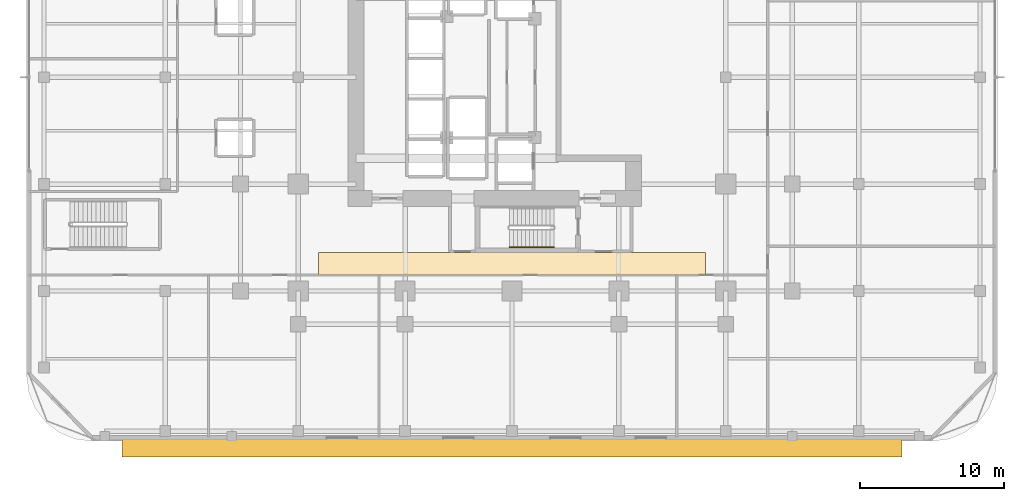
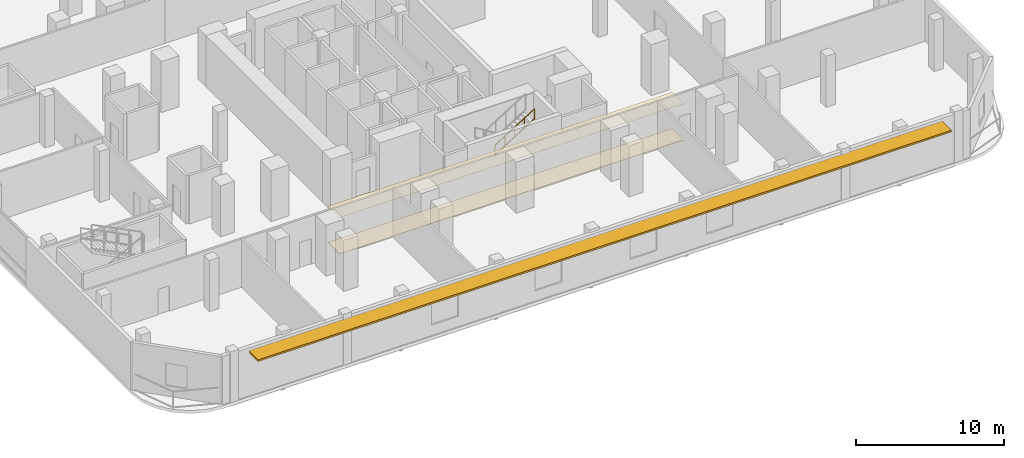
# One storey, part 14 of 19: 2 coverings, 1 railing, 1 shading device.
"""IFC4 building model written with IfcOpenShell, lengths in metres."""

from ifc_helpers import new_model, si_unit, direction, frame, origin, origin_2d, place, context, subcontext, project, spatial, polyline, rectangle, outline, extrude, material, layer, layer_set, type_object, element, save


model = new_model("IFC4")

# Units and contexts
model_context = context("Model", 3, precision=1e-05, world=origin(), true_north=direction((0.0, 1.0)))
body_context = subcontext(model_context, "Body", "Model", "MODEL_VIEW")
ifc_project = project(units=[si_unit("LENGTHUNIT", "METRE"), si_unit("AREAUNIT", "SQUARE_METRE"), si_unit("VOLUMEUNIT", "CUBIC_METRE"), si_unit("PLANEANGLEUNIT", "RADIAN"), si_unit("MASSUNIT", "GRAM", prefix="KILO")], contexts=[model_context])

# Site, building, storey
site_placement = place(None, origin())
site = spatial("IfcSite", under=ifc_project, at=site_placement, CompositionType="ELEMENT")
building_placement = place(site_placement, origin())
building = spatial("IfcBuilding", under=site, at=building_placement, Name="Khorvyn Point Tower", CompositionType="ELEMENT")
storey_placement = place(building_placement, frame((0.0, 0.0, 17.39990234375)))
storey = spatial("IfcBuildingStorey", under=building, at=storey_placement, Name="L05", CompositionType="ELEMENT", Elevation=17.39990234375)

# Shading device
ifc_material_1 = material(Name="Bronze anodised aluminium 6063-T6", Category="aluminium")
ifc_layer_1 = layer(ifc_material_1, 0.139892578125)
ifc_layer_set_1 = layer_set([ifc_layer_1], Name="Anodised Aluminium Horizontal Monsoon Sunshade Canopy")
shading_device_type = type_object("IfcShadingDeviceType", Name="Anodised Aluminium Horizontal Monsoon Sunshade Canopy", PredefinedType="AWNING", material=ifc_layer_set_1)
shading_device_placement = place(storey_placement, frame((0.0, 0.0, 3.5400390625)))
element("IfcShadingDevice", 1, at=shading_device_placement, inside=storey, type_object=shading_device_type, Name="L05 South Classroom Monsoon Sunshade", PredefinedType="AWNING", context=body_context, shape_type="SweptSolid", body=[
    extrude(outline(polyline([(-27.0, -26.280029296875), (27.0, -26.280029296875), (27.0, -25.030029296875), (-27.0, -25.030029296875), (-27.0, -26.280029296875)])), origin(), (0.0, 0.0, 1.0), 0.14013671875),
])

# Coverings
ifc_material_2 = material(Name="Mineral-fibre acoustic ceiling board", Category="gypsum")
ifc_layer_2 = layer(ifc_material_2, 0.02001953125)
ifc_layer_set_2 = layer_set([ifc_layer_2], Name="Perforated Mineral-Fibre Acoustic Suspended Ceiling 20")
covering_type_1 = type_object("IfcCoveringType", Name="Perforated Mineral-Fibre Acoustic Suspended Ceiling 20", PredefinedType="CEILING", material=ifc_layer_set_2)
covering_1_placement = place(storey_placement, frame((0.0, 0.0, 2.97998046875)))
element("IfcCovering", 2, at=covering_1_placement, inside=storey, type_object=covering_type_1, Name="L05 South Corridor Acoustic Ceiling", PredefinedType="CEILING", context=body_context, shape_type="SweptSolid", body=[
    extrude(outline(polyline([(-13.39990234375, -13.7099609375), (13.39990234375, -13.7099609375), (13.39990234375, -12.139892578125), (-13.39990234375, -12.139892578125), (-13.39990234375, -13.7099609375)])), origin(), (0.0, 0.0, 1.0), 0.02001953125),
])
ifc_material_3 = material(Name="Vitrified porcelain terrazzo tile", Category="ceramic")
ifc_layer_3 = layer(ifc_material_3, 0.01806640625)
ifc_layer_set_3 = layer_set([ifc_layer_3], Name="Porcelain Terrazzo Corridor Floor Finish Tile 18")
covering_type_2 = type_object("IfcCoveringType", Name="Porcelain Terrazzo Corridor Floor Finish Tile 18", PredefinedType="FLOORING", material=ifc_layer_set_3)
covering_2_placement = place(storey_placement, origin())
element("IfcCovering", 3, at=covering_2_placement, inside=storey, type_object=covering_type_2, Name="L05 South Corridor Terrazzo Flooring", PredefinedType="FLOORING", context=body_context, shape_type="SweptSolid", body=[
    extrude(outline(polyline([(-13.39990234375, -13.7099609375), (13.39990234375, -13.7099609375), (13.39990234375, -12.139892578125), (-13.39990234375, -12.139892578125), (-13.39990234375, -13.7099609375)])), origin(), (0.0, 0.0, 1.0), 0.01806640625),
])

# Railing
ifc_material_4 = material(Name="Stainless steel 1.4301", Category="steel")
railing_type = type_object("IfcRailingType", Name="Stainless Steel 304 Stair Pitch Handrail 900", PredefinedType="HANDRAIL", material=ifc_material_4)
railing_placement = place(storey_placement, frame((-0.179931640625, -11.77001953125, 2.275146484375)))
element("IfcRailing", 4, at=railing_placement, inside=storey, type_object=railing_type, Name="L05 ST-01 stair handrail 2", PredefinedType="HANDRAIL", context=body_context, shape_type="SweptSolid", body=[
    extrude(rectangle(XDim=0.048095703125, YDim=0.048095703125, at=origin_2d()), frame((0.0, 0.0, 0.8759765625), z_axis=(0.847979421464, 0.0, 0.530029150871), x_axis=(0.0, 1.0, 0.0)), (0.0, 0.0, 1.0), 3.632080078125),
    extrude(rectangle(XDim=0.048095703125, YDim=0.048095703125, at=origin_2d()), frame((0.0, 0.0, 0.080078125), z_axis=(0.847979421464, 0.0, 0.530029150871), x_axis=(0.0, 1.0, 0.0)), (0.0, 0.0, 1.0), 3.632080078125),
    extrude(rectangle(XDim=0.0419921875, YDim=0.0419921875, at=origin_2d()), origin(), (0.0, 0.0, 1.0), 0.851806640625),
    extrude(rectangle(XDim=0.0419921875, YDim=0.0419921875, at=origin_2d()), frame((0.77001953125, 0.0, 0.481201171875)), (0.0, 0.0, 1.0), 0.851806640625),
    extrude(rectangle(XDim=0.0419921875, YDim=0.0419921875, at=origin_2d()), frame((1.5400390625, 0.0, 0.96240234375)), (0.0, 0.0, 1.0), 0.851806640625),
    extrude(rectangle(XDim=0.0419921875, YDim=0.0419921875, at=origin_2d()), frame((2.309814453125, 0.0, 1.44384765625)), (0.0, 0.0, 1.0), 0.851806640625),
    extrude(rectangle(XDim=0.0419921875, YDim=0.0419921875, at=origin_2d()), frame((3.079833984375, 0.0, 1.925048828125)), (0.0, 0.0, 1.0), 0.851806640625),
])

save(model, "model.ifc")
